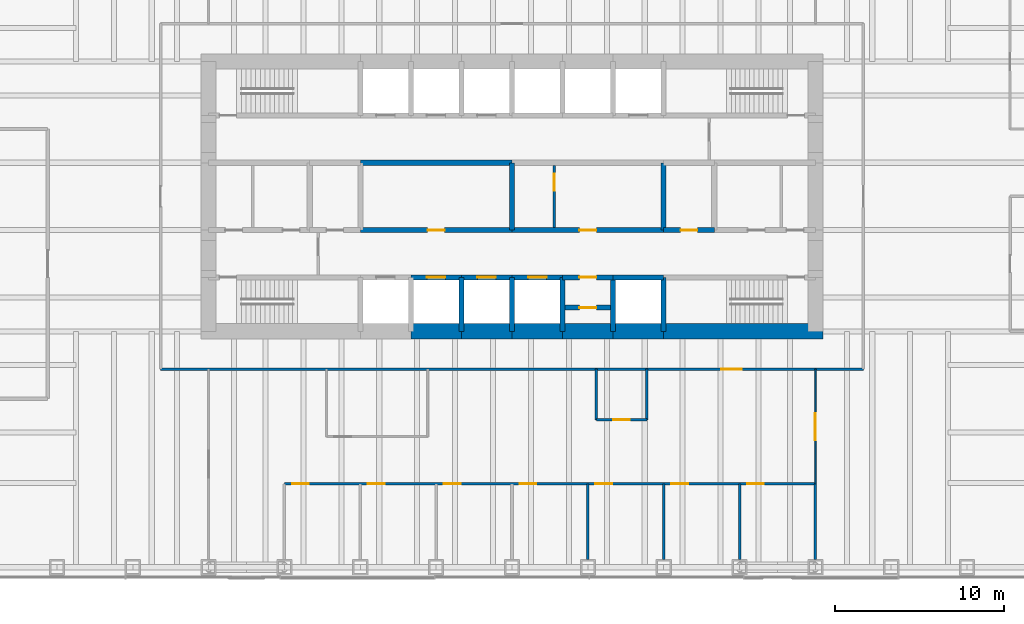
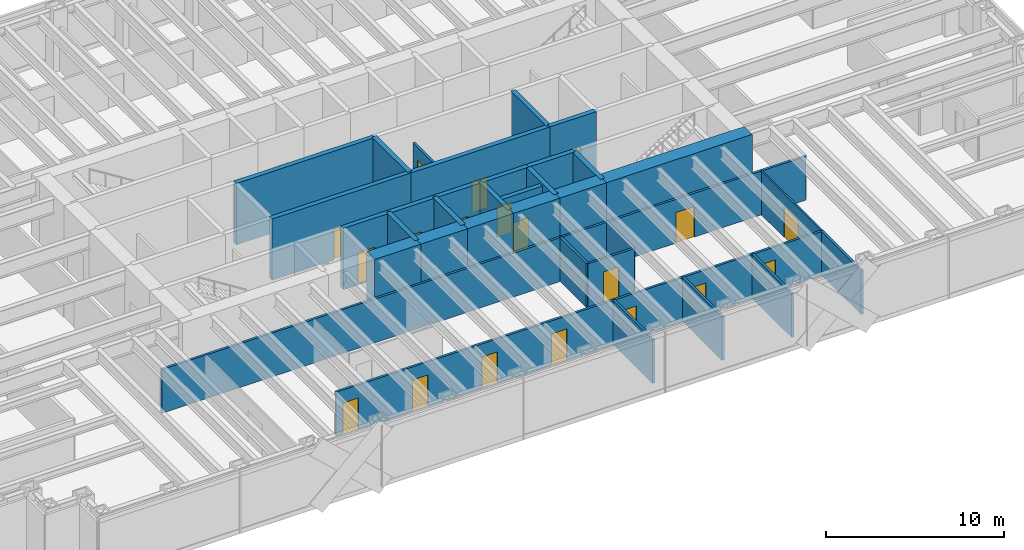
# One storey, part 15 of 19: 34 walls, 19 doors, 19 openings.
"""IFC4 building model written with IfcOpenShell, lengths in metres."""

from ifc_helpers import new_model, si_unit, direction, frame, frame_2d, origin, place, context, subcontext, project, spatial, rectangle, extrude, material, layer, layer_set, type_object, element, fill, save


model = new_model("IFC4")

# Units and contexts
model_context = context("Model", 3, precision=1e-05, world=origin(), true_north=direction((0.0, 1.0)))
body_context = subcontext(model_context, "Body", "Model", "MODEL_VIEW")
ifc_project = project(units=[si_unit("LENGTHUNIT", "METRE"), si_unit("AREAUNIT", "SQUARE_METRE"), si_unit("VOLUMEUNIT", "CUBIC_METRE"), si_unit("PLANEANGLEUNIT", "RADIAN"), si_unit("MASSUNIT", "GRAM", prefix="KILO")], contexts=[model_context])

# Site, building, storey
site_placement = place(None, origin())
site = spatial("IfcSite", under=ifc_project, at=site_placement, CompositionType="ELEMENT")
building_placement = place(site_placement, origin())
building = spatial("IfcBuilding", under=site, at=building_placement, Name="Rheinbord Bourse Tower", CompositionType="ELEMENT")
storey_placement = place(building_placement, frame((0.0, 0.0, 167.699951171875)))
storey = spatial("IfcBuildingStorey", under=building, at=storey_placement, Name="L37", CompositionType="ELEMENT", Elevation=167.699951171875)

# Wall, opening, door
ifc_material_1 = material(Name="Concrete C50/60", Category="concrete")
ifc_layer_1 = layer(ifc_material_1, 0.300048828125)
ifc_layer_set_1 = layer_set([ifc_layer_1], Name="CORE INNER WALL 300")
wall_type_1 = type_object("IfcWallType", Name="CORE INNER WALL 300", PredefinedType="SOLIDWALL", material=ifc_layer_set_1)
wall_1_placement = place(storey_placement, frame((30.0, 19.199951171875, 0.0), z_axis=(0.0, 0.0, 1.0), x_axis=(1.0, 0.0, 0.0)))
wall_1 = element("IfcWall", 1, at=wall_1_placement, inside=storey, type_object=wall_type_1, Name="Core wall A3 L37", PredefinedType="SOLIDWALL", context=body_context, shape_type="SweptSolid", body=[
    extrude(rectangle(XDim=3.0, YDim=0.300048828125, at=frame_2d((1.5, 0.0))), origin(), (0.0, 0.0, 1.0), 4.199951171875),
])
opening_1_placement = place(wall_1_placement, frame((0.949951171875, 0.0, 0.0)))
opening_1 = element("IfcOpeningElement", 2, at=opening_1_placement, cuts=wall_1, Name="Opening PB1", PredefinedType="OPENING", context=body_context, shape_type="SweptSolid", body=[
    extrude(rectangle(XDim=1.10009765625, YDim=2.199951171875, at=frame_2d((0.550048828125, 1.10009765625))), frame((0.0, 0.159912109375, 0.0), z_axis=(0.0, -1.0, 0.0), x_axis=(1.0, 0.0, 0.0)), (0.0, 0.0, 1.0), 0.320068359375),
])
ifc_material_2 = material(Name="Steel landing door", Category="steel")
door_type_1 = type_object("IfcDoorType", Name="LIFT LANDING DOOR 1100", OperationType="DOUBLE_DOOR_SLIDING", PredefinedType="USERDEFINED", material=ifc_material_2)
door_1_placement = place(opening_1_placement, origin())
door_1 = element("IfcDoor", 3, at=door_1_placement, inside=storey, type_object=door_type_1, Name="Lift landing door PB1 L37", ObjectType="LIFT LANDING DOOR", OperationType="DOUBLE_DOOR_SLIDING", OverallHeight=2.199951171875, OverallWidth=1.10009765625, PredefinedType="USERDEFINED", context=body_context, shape_type="SweptSolid", body=[
    extrude(rectangle(XDim=1.10009765625, YDim=2.199951171875, at=frame_2d((0.550048828125, 1.10009765625))), frame((0.0, 0.02490234375, 0.0), z_axis=(0.0, -1.0, 0.0), x_axis=(1.0, 0.0, 0.0)), (0.0, 0.0, 1.0), 0.050048828125),
])
fill(opening_1, door_1)

wall_2_placement = place(storey_placement, frame((33.0, 19.199951171875, 0.0), z_axis=(0.0, 0.0, 1.0), x_axis=(1.0, 0.0, 0.0)))
wall_2 = element("IfcWall", 4, at=wall_2_placement, inside=storey, type_object=wall_type_1, Name="Core wall A4 L37", PredefinedType="SOLIDWALL", context=body_context, shape_type="SweptSolid", body=[
    extrude(rectangle(XDim=3.0, YDim=0.300048828125, at=frame_2d((1.5, 0.0))), origin(), (0.0, 0.0, 1.0), 4.199951171875),
])
opening_2_placement = place(wall_2_placement, frame((0.949951171875, 0.0, 0.0)))
opening_2 = element("IfcOpeningElement", 5, at=opening_2_placement, cuts=wall_2, Name="Opening PB2", PredefinedType="OPENING", context=body_context, shape_type="SweptSolid", body=[
    extrude(rectangle(XDim=1.10009765625, YDim=2.199951171875, at=frame_2d((0.550048828125, 1.10009765625))), frame((0.0, 0.159912109375, 0.0), z_axis=(0.0, -1.0, 0.0), x_axis=(1.0, 0.0, 0.0)), (0.0, 0.0, 1.0), 0.320068359375),
])
door_2_placement = place(opening_2_placement, origin())
door_2 = element("IfcDoor", 6, at=door_2_placement, inside=storey, type_object=door_type_1, Name="Lift landing door PB2 L37", ObjectType="LIFT LANDING DOOR", OperationType="DOUBLE_DOOR_SLIDING", OverallHeight=2.199951171875, OverallWidth=1.10009765625, PredefinedType="USERDEFINED", context=body_context, shape_type="SweptSolid", body=[
    extrude(rectangle(XDim=1.10009765625, YDim=2.199951171875, at=frame_2d((0.550048828125, 1.10009765625))), frame((0.0, 0.02490234375, 0.0), z_axis=(0.0, -1.0, 0.0), x_axis=(1.0, 0.0, 0.0)), (0.0, 0.0, 1.0), 0.050048828125),
])
fill(opening_2, door_2)

wall_3_placement = place(storey_placement, frame((36.0, 19.199951171875, 0.0), z_axis=(0.0, 0.0, 1.0), x_axis=(1.0, 0.0, 0.0)))
wall_3 = element("IfcWall", 7, at=wall_3_placement, inside=storey, type_object=wall_type_1, Name="Core wall A5 L37", PredefinedType="SOLIDWALL", context=body_context, shape_type="SweptSolid", body=[
    extrude(rectangle(XDim=3.0, YDim=0.300048828125, at=frame_2d((1.5, 0.0))), origin(), (0.0, 0.0, 1.0), 4.199951171875),
])
opening_3_placement = place(wall_3_placement, frame((0.949951171875, 0.0, 0.0)))
opening_3 = element("IfcOpeningElement", 8, at=opening_3_placement, cuts=wall_3, Name="Opening PB3", PredefinedType="OPENING", context=body_context, shape_type="SweptSolid", body=[
    extrude(rectangle(XDim=1.10009765625, YDim=2.199951171875, at=frame_2d((0.550048828125, 1.10009765625))), frame((0.0, 0.159912109375, 0.0), z_axis=(0.0, -1.0, 0.0), x_axis=(1.0, 0.0, 0.0)), (0.0, 0.0, 1.0), 0.320068359375),
])
door_3_placement = place(opening_3_placement, origin())
door_3 = element("IfcDoor", 9, at=door_3_placement, inside=storey, type_object=door_type_1, Name="Lift landing door PB3 L37", ObjectType="LIFT LANDING DOOR", OperationType="DOUBLE_DOOR_SLIDING", OverallHeight=2.199951171875, OverallWidth=1.10009765625, PredefinedType="USERDEFINED", context=body_context, shape_type="SweptSolid", body=[
    extrude(rectangle(XDim=1.10009765625, YDim=2.199951171875, at=frame_2d((0.550048828125, 1.10009765625))), frame((0.0, 0.02490234375, 0.0), z_axis=(0.0, -1.0, 0.0), x_axis=(1.0, 0.0, 0.0)), (0.0, 0.0, 1.0), 0.050048828125),
])
fill(opening_3, door_3)

wall_4_placement = place(storey_placement, frame((39.0, 19.199951171875, 0.0), z_axis=(0.0, 0.0, 1.0), x_axis=(1.0, 0.0, 0.0)))
wall_4 = element("IfcWall", 10, at=wall_4_placement, inside=storey, type_object=wall_type_1, Name="Core wall A6 L37", PredefinedType="SOLIDWALL", context=body_context, shape_type="SweptSolid", body=[
    extrude(rectangle(XDim=3.0, YDim=0.300048828125, at=frame_2d((1.5, 0.0))), origin(), (0.0, 0.0, 1.0), 4.199951171875),
])
opening_4_placement = place(wall_4_placement, frame((1.0, 0.0, 0.0)))
opening_4 = element("IfcOpeningElement", 11, at=opening_4_placement, cuts=wall_4, Name="Opening 37R8", PredefinedType="OPENING", context=body_context, shape_type="SweptSolid", body=[
    extrude(rectangle(XDim=1.0, YDim=2.10009765625, at=frame_2d((0.5, 1.050048828125))), frame((0.0, 0.159912109375, 0.0), z_axis=(0.0, -1.0, 0.0), x_axis=(1.0, 0.0, 0.0)), (0.0, 0.0, 1.0), 0.320068359375),
])
ifc_material_3 = material(Name="Steel door", Category="steel")
door_type_2 = type_object("IfcDoorType", Name="DOOR 1000 EI30", OperationType="SINGLE_SWING_LEFT", PredefinedType="DOOR", material=ifc_material_3)
door_4_placement = place(opening_4_placement, origin())
door_4 = element("IfcDoor", 12, at=door_4_placement, inside=storey, type_object=door_type_2, Name="Stationery store door L37", OperationType="SINGLE_SWING_LEFT", OverallHeight=2.10009765625, OverallWidth=1.0, PredefinedType="DOOR", context=body_context, shape_type="SweptSolid", body=[
    extrude(rectangle(XDim=1.0, YDim=2.10009765625, at=frame_2d((0.5, 1.050048828125))), frame((0.0, 0.02490234375, 0.0), z_axis=(0.0, -1.0, 0.0), x_axis=(1.0, 0.0, 0.0)), (0.0, 0.0, 1.0), 0.050048828125),
])
fill(opening_4, door_4)

# Wall
wall_5_placement = place(storey_placement, frame((42.0, 19.199951171875, 0.0), z_axis=(0.0, 0.0, 1.0), x_axis=(1.0, 0.0, 0.0)))
element("IfcWall", 13, at=wall_5_placement, inside=storey, type_object=wall_type_1, Name="Core wall A7 L37", PredefinedType="SOLIDWALL", context=body_context, shape_type="SweptSolid", body=[
    extrude(rectangle(XDim=3.0, YDim=0.300048828125, at=frame_2d((1.5, 0.0))), origin(), (0.0, 0.0, 1.0), 4.199951171875),
])

# Wall, opening, door
wall_6_placement = place(storey_placement, frame((27.0, 22.0, 0.0), z_axis=(0.0, 0.0, 1.0), x_axis=(1.0, 0.0, 0.0)))
wall_6 = element("IfcWall", 14, at=wall_6_placement, inside=storey, type_object=wall_type_1, Name="Core wall C3 L37", PredefinedType="SOLIDWALL", context=body_context, shape_type="SweptSolid", body=[
    extrude(rectangle(XDim=9.0, YDim=0.300048828125, at=frame_2d((4.5, 0.0))), origin(), (0.0, 0.0, 1.0), 4.199951171875),
])
opening_5_placement = place(wall_6_placement, frame((4.0, 0.0, 0.0)))
opening_5 = element("IfcOpeningElement", 15, at=opening_5_placement, cuts=wall_6, Name="Opening 37R3", PredefinedType="OPENING", context=body_context, shape_type="SweptSolid", body=[
    extrude(rectangle(XDim=1.0, YDim=2.10009765625, at=frame_2d((0.5, 1.050048828125))), frame((0.0, 0.159912109375, 0.0), z_axis=(0.0, -1.0, 0.0), x_axis=(1.0, 0.0, 0.0)), (0.0, 0.0, 1.0), 0.320068359375),
])
door_5_placement = place(opening_5_placement, origin())
door_5 = element("IfcDoor", 16, at=door_5_placement, inside=storey, type_object=door_type_2, Name="Riser door L37", OperationType="SINGLE_SWING_LEFT", OverallHeight=2.10009765625, OverallWidth=1.0, PredefinedType="DOOR", context=body_context, shape_type="SweptSolid", body=[
    extrude(rectangle(XDim=1.0, YDim=2.10009765625, at=frame_2d((0.5, 1.050048828125))), frame((0.0, 0.02490234375, 0.0), z_axis=(0.0, -1.0, 0.0), x_axis=(1.0, 0.0, 0.0)), (0.0, 0.0, 1.0), 0.050048828125),
])
fill(opening_5, door_5)

wall_7_placement = place(storey_placement, frame((36.0, 22.0, 0.0), z_axis=(0.0, 0.0, 1.0), x_axis=(1.0, 0.0, 0.0)))
wall_7 = element("IfcWall", 17, at=wall_7_placement, inside=storey, type_object=wall_type_1, Name="Core wall C4 L37", PredefinedType="SOLIDWALL", context=body_context, shape_type="SweptSolid", body=[
    extrude(rectangle(XDim=9.0, YDim=0.300048828125, at=frame_2d((4.5, 0.0))), origin(), (0.0, 0.0, 1.0), 4.199951171875),
])
opening_6_placement = place(wall_7_placement, frame((4.0, 0.0, 0.0)))
opening_6 = element("IfcOpeningElement", 18, at=opening_6_placement, cuts=wall_7, Name="Opening 37R4", PredefinedType="OPENING", context=body_context, shape_type="SweptSolid", body=[
    extrude(rectangle(XDim=1.0, YDim=2.10009765625, at=frame_2d((0.5, 1.050048828125))), frame((0.0, 0.159912109375, 0.0), z_axis=(0.0, -1.0, 0.0), x_axis=(1.0, 0.0, 0.0)), (0.0, 0.0, 1.0), 0.320068359375),
])
door_6_placement = place(opening_6_placement, origin())
door_6 = element("IfcDoor", 19, at=door_6_placement, inside=storey, type_object=door_type_2, Name="Store door L37", OperationType="SINGLE_SWING_LEFT", OverallHeight=2.10009765625, OverallWidth=1.0, PredefinedType="DOOR", context=body_context, shape_type="SweptSolid", body=[
    extrude(rectangle(XDim=1.0, YDim=2.10009765625, at=frame_2d((0.5, 1.050048828125))), frame((0.0, 0.02490234375, 0.0), z_axis=(0.0, -1.0, 0.0), x_axis=(1.0, 0.0, 0.0)), (0.0, 0.0, 1.0), 0.050048828125),
])
fill(opening_6, door_6)

wall_8_placement = place(storey_placement, frame((45.0, 22.0, 0.0), z_axis=(0.0, 0.0, 1.0), x_axis=(1.0, 0.0, 0.0)))
wall_8 = element("IfcWall", 20, at=wall_8_placement, inside=storey, type_object=wall_type_1, Name="Core wall C5 L37", PredefinedType="SOLIDWALL", context=body_context, shape_type="SweptSolid", body=[
    extrude(rectangle(XDim=3.0, YDim=0.300048828125, at=frame_2d((1.5, 0.0))), origin(), (0.0, 0.0, 1.0), 4.199951171875),
])
opening_7_placement = place(wall_8_placement, frame((1.0, 0.0, 0.0)))
opening_7 = element("IfcOpeningElement", 21, at=opening_7_placement, cuts=wall_8, Name="Opening 37R5", PredefinedType="OPENING", context=body_context, shape_type="SweptSolid", body=[
    extrude(rectangle(XDim=1.0, YDim=2.10009765625, at=frame_2d((0.5, 1.050048828125))), frame((0.0, 0.159912109375, 0.0), z_axis=(0.0, -1.0, 0.0), x_axis=(1.0, 0.0, 0.0)), (0.0, 0.0, 1.0), 0.320068359375),
])
ifc_material_4 = material(Name="Timber door", Category="wood")
door_type_3 = type_object("IfcDoorType", Name="DOOR 1000 WC", OperationType="SINGLE_SWING_LEFT", PredefinedType="DOOR", material=ifc_material_4)
door_7_placement = place(opening_7_placement, origin())
door_7 = element("IfcDoor", 22, at=door_7_placement, inside=storey, type_object=door_type_3, Name="Accessible WC door L37", OperationType="SINGLE_SWING_LEFT", OverallHeight=2.10009765625, OverallWidth=1.0, PredefinedType="DOOR", context=body_context, shape_type="SweptSolid", body=[
    extrude(rectangle(XDim=1.0, YDim=2.10009765625, at=frame_2d((0.5, 1.050048828125))), frame((0.0, 0.02490234375, 0.0), z_axis=(0.0, -1.0, 0.0), x_axis=(1.0, 0.0, 0.0)), (0.0, 0.0, 1.0), 0.050048828125),
])
fill(opening_7, door_7)

# Walls
wall_9_placement = place(storey_placement, frame((27.0, 26.0, 0.0), z_axis=(0.0, 0.0, 1.0), x_axis=(1.0, 0.0, 0.0)))
element("IfcWall", 23, at=wall_9_placement, inside=storey, type_object=wall_type_1, Name="Core wall D3 L37", PredefinedType="SOLIDWALL", context=body_context, shape_type="SweptSolid", body=[
    extrude(rectangle(XDim=9.0, YDim=0.300048828125, at=frame_2d((4.5, 0.0))), origin(), (0.0, 0.0, 1.0), 4.199951171875),
])
for number, where, z_axis, x_axis, name in (
    (24, (33.0, 16.0, 0.0), (0.0, 0.0, 1.0), (0.0, 1.0, 0.0), "Core wall SX33 L37"),
    (25, (36.0, 16.0, 0.0), (0.0, 0.0, 1.0), (0.0, 1.0, 0.0), "Core wall SX36 L37"),
    (26, (39.0, 16.0, 0.0), (0.0, 0.0, 1.0), (0.0, 1.0, 0.0), "Core wall SX39 L37"),
    (27, (42.0, 16.0, 0.0), (0.0, 0.0, 1.0), (0.0, 1.0, 0.0), "Core wall SX42 L37"),
    (28, (45.0, 16.0, 0.0), (0.0, 0.0, 1.0), (0.0, 1.0, 0.0), "Core wall SX45 L37"),
):
    element("IfcWall", number, at=place(storey_placement, frame(where, z_axis=z_axis, x_axis=x_axis)), inside=storey, type_object=wall_type_1, Name=name, PredefinedType="SOLIDWALL", context=body_context, shape_type="SweptSolid", body=[
        extrude(rectangle(XDim=3.199951171875, YDim=0.300048828125, at=frame_2d((1.60009765625, 0.0))), origin(), (0.0, 0.0, 1.0), 4.199951171875),
    ])
for number, where, z_axis, x_axis, name in (
    (29, (36.0, 22.0, 0.0), (0.0, 0.0, 1.0), (0.0, 1.0, 0.0), "Core wall MX36 L37"),
    (30, (45.0, 22.0, 0.0), (0.0, 0.0, 1.0), (0.0, 1.0, 0.0), "Core wall MX45 L37"),
):
    element("IfcWall", number, at=place(storey_placement, frame(where, z_axis=z_axis, x_axis=x_axis)), inside=storey, type_object=wall_type_1, Name=name, PredefinedType="SOLIDWALL", context=body_context, shape_type="SweptSolid", body=[
        extrude(rectangle(XDim=4.0, YDim=0.300048828125, at=frame_2d((2.0, 0.0))), origin(), (0.0, 0.0, 1.0), 4.199951171875),
    ])

# Wall, opening, door
wall_10_placement = place(storey_placement, frame((39.14990234375, 17.39990234375, 0.0), z_axis=(0.0, 0.0, 1.0), x_axis=(1.0, 0.0, 0.0)))
wall_10 = element("IfcWall", 31, at=wall_10_placement, inside=storey, type_object=wall_type_1, Name="Core riser wall L37-6", PredefinedType="SOLIDWALL", context=body_context, shape_type="SweptSolid", body=[
    extrude(rectangle(XDim=2.7001953125, YDim=0.300048828125, at=frame_2d((1.35009765625, 0.0))), origin(), (0.0, 0.0, 1.0), 4.0400390625),
])
opening_8_placement = place(wall_10_placement, frame((0.85009765625, 0.0, 0.0)))
opening_8 = element("IfcOpeningElement", 32, at=opening_8_placement, cuts=wall_10, Name="Opening 37R12", PredefinedType="OPENING", context=body_context, shape_type="SweptSolid", body=[
    extrude(rectangle(XDim=1.0, YDim=2.10009765625, at=frame_2d((0.5, 1.050048828125))), frame((0.0, 0.159912109375, 0.0), z_axis=(0.0, -1.0, 0.0), x_axis=(1.0, 0.0, 0.0)), (0.0, 0.0, 1.0), 0.320068359375),
])
door_8_placement = place(opening_8_placement, origin())
door_8 = element("IfcDoor", 33, at=door_8_placement, inside=storey, type_object=door_type_2, Name="Comms riser door L37", OperationType="SINGLE_SWING_LEFT", OverallHeight=2.10009765625, OverallWidth=1.0, PredefinedType="DOOR", context=body_context, shape_type="SweptSolid", body=[
    extrude(rectangle(XDim=1.0, YDim=2.10009765625, at=frame_2d((0.5, 1.050048828125))), frame((0.0, 0.02490234375, 0.0), z_axis=(0.0, -1.0, 0.0), x_axis=(1.0, 0.0, 0.0)), (0.0, 0.0, 1.0), 0.050048828125),
])
fill(opening_8, door_8)

ifc_material_5 = material(Name="Gypsum board fire partition", Category="gypsum board")
ifc_layer_2 = layer(ifc_material_5, 0.14990234375)
ifc_layer_set_2 = layer_set([ifc_layer_2], Name="CORE PARTITION 150 EI30")
wall_type_2 = type_object("IfcWallType", Name="CORE PARTITION 150 EI30", PredefinedType="PARTITIONING", material=ifc_layer_set_2)
wall_11_placement = place(storey_placement, frame((38.5, 22.14990234375, 0.0), z_axis=(0.0, 0.0, 1.0), x_axis=(0.0, 1.0, 0.0)))
wall_11 = element("IfcWall", 34, at=wall_11_placement, inside=storey, type_object=wall_type_2, Name="Core partition L37-1", PredefinedType="PARTITIONING", context=body_context, shape_type="SweptSolid", body=[
    extrude(rectangle(XDim=3.7001953125, YDim=0.14990234375, at=frame_2d((1.85009765625, 0.0))), origin(), (0.0, 0.0, 1.0), 3.0),
])
opening_9_placement = place(wall_11_placement, frame((2.199951171875, 0.0, 0.0)))
opening_9 = element("IfcOpeningElement", 35, at=opening_9_placement, cuts=wall_11, Name="Opening 37R7", PredefinedType="OPENING", context=body_context, shape_type="SweptSolid", body=[
    extrude(rectangle(XDim=1.0, YDim=2.10009765625, at=frame_2d((0.5, 1.050048828125))), frame((0.0, 0.0849609375, 0.0), z_axis=(0.0, -1.0, 0.0), x_axis=(1.0, 0.0, 0.0)), (0.0, 0.0, 1.0), 0.169921875),
])
door_9_placement = place(opening_9_placement, origin())
door_9 = element("IfcDoor", 36, at=door_9_placement, inside=storey, type_object=door_type_2, Name="Furniture store door L37", OperationType="SINGLE_SWING_RIGHT", OverallHeight=2.10009765625, OverallWidth=1.0, PredefinedType="DOOR", context=body_context, shape_type="SweptSolid", body=[
    extrude(rectangle(XDim=1.0, YDim=2.10009765625, at=frame_2d((0.5, 1.050048828125))), frame((0.0, 0.02490234375, 0.0), z_axis=(0.0, -1.0, 0.0), x_axis=(1.0, 0.0, 0.0)), (0.0, 0.0, 1.0), 0.050048828125),
])
fill(opening_9, door_9)

# Walls
ifc_material_6 = material(Name="Concrete C50/60", Category="concrete")
ifc_layer_3 = layer(ifc_material_6, 0.89990234375)
ifc_layer_set_3 = layer_set([ifc_layer_3], Name="CORE WALL 900")
wall_type_3 = type_object("IfcWallType", Name="CORE WALL 900", PredefinedType="SHEAR", material=ifc_layer_set_3)
for number, where, z_axis, x_axis, name in (
    (37, (30.0, 16.0, 0.0), (0.0, 0.0, 1.0), (1.0, 0.0, 0.0), "Core wall S3 L37"),
    (38, (33.0, 16.0, 0.0), (0.0, 0.0, 1.0), (1.0, 0.0, 0.0), "Core wall S4 L37"),
    (39, (36.0, 16.0, 0.0), (0.0, 0.0, 1.0), (1.0, 0.0, 0.0), "Core wall S5 L37"),
    (40, (39.0, 16.0, 0.0), (0.0, 0.0, 1.0), (1.0, 0.0, 0.0), "Core wall S6 L37"),
    (41, (42.0, 16.0, 0.0), (0.0, 0.0, 1.0), (1.0, 0.0, 0.0), "Core wall S7 L37"),
):
    element("IfcWall", number, at=place(storey_placement, frame(where, z_axis=z_axis, x_axis=x_axis)), inside=storey, type_object=wall_type_3, Name=name, PredefinedType="SHEAR", context=body_context, shape_type="SweptSolid", body=[
        extrude(rectangle(XDim=3.0, YDim=0.89990234375, at=frame_2d((1.5, 0.0))), origin(), (0.0, 0.0, 1.0), 4.199951171875),
    ])
wall_12_placement = place(storey_placement, frame((45.0, 16.0, 0.0), z_axis=(0.0, 0.0, 1.0), x_axis=(1.0, 0.0, 0.0)))
element("IfcWall", 42, at=wall_12_placement, inside=storey, type_object=wall_type_3, Name="Core wall S8 L37", PredefinedType="SHEAR", context=body_context, shape_type="SweptSolid", body=[
    extrude(rectangle(XDim=9.449951171875, YDim=0.89990234375, at=frame_2d((4.72509765625, 0.0))), origin(), (0.0, 0.0, 1.0), 4.199951171875),
])

# Wall, opening, door
ifc_material_7 = material(Name="Gypsum board corridor partition", Category="gypsum board")
ifc_layer_4 = layer(ifc_material_7, 0.14990234375)
ifc_layer_set_4 = layer_set([ifc_layer_4], Name="CORRIDOR PARTITION 150 EI30")
wall_type_4 = type_object("IfcWallType", Name="CORRIDOR PARTITION 150 EI30", PredefinedType="PARTITIONING", material=ifc_layer_set_4)
wall_13_placement = place(storey_placement, frame((15.14990234375, 13.75, 0.0), z_axis=(0.0, 0.0, 1.0), x_axis=(1.0, 0.0, 0.0)))
wall_13 = element("IfcWall", 43, at=wall_13_placement, inside=storey, type_object=wall_type_4, Name="Partition L37-06", PredefinedType="PARTITIONING", context=body_context, shape_type="SweptSolid", body=[
    extrude(rectangle(XDim=41.7001953125, YDim=0.14990234375, at=frame_2d((20.85009765625, 0.0))), origin(), (0.0, 0.0, 1.0), 3.0),
])
opening_10_placement = place(wall_13_placement, frame((33.27490234375, 0.0, 0.0)))
opening_10 = element("IfcOpeningElement", 44, at=opening_10_placement, cuts=wall_13, Name="Opening 37D32", PredefinedType="OPENING", context=body_context, shape_type="SweptSolid", body=[
    extrude(rectangle(XDim=1.199951171875, YDim=2.10009765625, at=frame_2d((0.60009765625, 1.050048828125))), frame((0.0, 0.0849609375, 0.0), z_axis=(0.0, -1.0, 0.0), x_axis=(1.0, 0.0, 0.0)), (0.0, 0.0, 1.0), 0.169921875),
])
ifc_material_8 = material(Name="Timber fire door", Category="wood")
door_type_4 = type_object("IfcDoorType", Name="SUITE ENTRANCE DOOR 1200 EI30", OperationType="SINGLE_SWING_LEFT", PredefinedType="DOOR", material=ifc_material_8)
door_10_placement = place(opening_10_placement, origin())
door_10 = element("IfcDoor", 45, at=door_10_placement, inside=storey, type_object=door_type_4, Name="Suite entrance 3 door L37", OperationType="SINGLE_SWING_RIGHT", OverallHeight=2.10009765625, OverallWidth=1.199951171875, PredefinedType="DOOR", context=body_context, shape_type="SweptSolid", body=[
    extrude(rectangle(XDim=1.199951171875, YDim=2.10009765625, at=frame_2d((0.60009765625, 1.050048828125))), frame((0.0, 0.02490234375, 0.0), z_axis=(0.0, -1.0, 0.0), x_axis=(1.0, 0.0, 0.0)), (0.0, 0.0, 1.0), 0.050048828125),
])
fill(opening_10, door_10)

ifc_material_9 = material(Name="Toughened laminated glass partition", Category="glass")
ifc_layer_5 = layer(ifc_material_9, 0.10009765625)
ifc_layer_set_5 = layer_set([ifc_layer_5], Name="GLAZED PARTITION 100")
wall_type_5 = type_object("IfcWallType", Name="GLAZED PARTITION 100", PredefinedType="PARTITIONING", material=ifc_layer_set_5)
wall_14_placement = place(storey_placement, frame((54.0, 6.949951171875, 0.0), z_axis=(0.0, 0.0, 1.0), x_axis=(0.0, 1.0, 0.0)))
wall_14 = element("IfcWall", 46, at=wall_14_placement, inside=storey, type_object=wall_type_5, Name="Partition L37-41", PredefinedType="PARTITIONING", context=body_context, shape_type="SweptSolid", body=[
    extrude(rectangle(XDim=6.800048828125, YDim=0.10009765625, at=frame_2d((3.39990234375, 0.0))), origin(), (0.0, 0.0, 1.0), 3.0),
])
opening_11_placement = place(wall_14_placement, frame((2.60009765625, 0.0, 0.0)))
opening_11 = element("IfcOpeningElement", 47, at=opening_11_placement, cuts=wall_14, Name="Opening 37D28", PredefinedType="OPENING", context=body_context, shape_type="SweptSolid", body=[
    extrude(rectangle(XDim=1.60009765625, YDim=2.10009765625, at=frame_2d((0.800048828125, 1.050048828125))), frame((0.0, 0.06005859375, 0.0), z_axis=(0.0, -1.0, 0.0), x_axis=(1.0, 0.0, 0.0)), (0.0, 0.0, 1.0), 0.1201171875),
])
ifc_material_10 = material(Name="Timber door", Category="wood")
door_type_5 = type_object("IfcDoorType", Name="DOUBLE ROOM DOOR 1600", OperationType="DOUBLE_DOOR_DOUBLE_SWING", PredefinedType="DOOR", material=ifc_material_10)
door_11_placement = place(opening_11_placement, origin())
door_11 = element("IfcDoor", 48, at=door_11_placement, inside=storey, type_object=door_type_5, Name="Open area door L37", OperationType="SINGLE_SWING_LEFT", OverallHeight=2.10009765625, OverallWidth=1.60009765625, PredefinedType="DOOR", context=body_context, shape_type="SweptSolid", body=[
    extrude(rectangle(XDim=1.60009765625, YDim=2.10009765625, at=frame_2d((0.800048828125, 1.050048828125))), frame((0.0, 0.02490234375, 0.0), z_axis=(0.0, -1.0, 0.0), x_axis=(1.0, 0.0, 0.0)), (0.0, 0.0, 1.0), 0.050048828125),
])
fill(opening_11, door_11)

# Wall, openings, doors
ifc_material_11 = material(Name="Gypsum board partition", Category="gypsum board")
ifc_layer_6 = layer(ifc_material_11, 0.14990234375)
ifc_layer_set_6 = layer_set([ifc_layer_6], Name="PARTITION 150")
wall_type_6 = type_object("IfcWallType", Name="PARTITION 150", PredefinedType="PARTITIONING", material=ifc_layer_set_6)
wall_15_placement = place(storey_placement, frame((22.5, 6.949951171875, 0.0), z_axis=(0.0, 0.0, 1.0), x_axis=(1.0, 0.0, 0.0)))
wall_15 = element("IfcWall", 49, at=wall_15_placement, inside=storey, type_object=wall_type_6, Name="Partition L37-01", PredefinedType="PARTITIONING", context=body_context, shape_type="SweptSolid", body=[
    extrude(rectangle(XDim=31.5, YDim=0.14990234375, at=frame_2d((15.75, 0.0))), origin(), (0.0, 0.0, 1.0), 3.0),
])
opening_12_placement = place(wall_15_placement, frame((0.449951171875, 0.0, 0.0)))
opening_12 = element("IfcOpeningElement", 50, at=opening_12_placement, cuts=wall_15, Name="Opening 37D01", PredefinedType="OPENING", context=body_context, shape_type="SweptSolid", body=[
    extrude(rectangle(XDim=1.0, YDim=2.10009765625, at=frame_2d((0.5, 1.050048828125))), frame((0.0, 0.0849609375, 0.0), z_axis=(0.0, -1.0, 0.0), x_axis=(1.0, 0.0, 0.0)), (0.0, 0.0, 1.0), 0.169921875),
])
opening_13_placement = place(wall_15_placement, frame((4.949951171875, 0.0, 0.0)))
opening_13 = element("IfcOpeningElement", 51, at=opening_13_placement, cuts=wall_15, Name="Opening 37D02", PredefinedType="OPENING", context=body_context, shape_type="SweptSolid", body=[
    extrude(rectangle(XDim=1.0, YDim=2.10009765625, at=frame_2d((0.5, 1.050048828125))), frame((0.0, 0.0849609375, 0.0), z_axis=(0.0, -1.0, 0.0), x_axis=(1.0, 0.0, 0.0)), (0.0, 0.0, 1.0), 0.169921875),
])
opening_14_placement = place(wall_15_placement, frame((9.449951171875, 0.0, 0.0)))
opening_14 = element("IfcOpeningElement", 52, at=opening_14_placement, cuts=wall_15, Name="Opening 37D03", PredefinedType="OPENING", context=body_context, shape_type="SweptSolid", body=[
    extrude(rectangle(XDim=1.0, YDim=2.10009765625, at=frame_2d((0.5, 1.050048828125))), frame((0.0, 0.0849609375, 0.0), z_axis=(0.0, -1.0, 0.0), x_axis=(1.0, 0.0, 0.0)), (0.0, 0.0, 1.0), 0.169921875),
])
opening_15_placement = place(wall_15_placement, frame((13.949951171875, 0.0, 0.0)))
opening_15 = element("IfcOpeningElement", 53, at=opening_15_placement, cuts=wall_15, Name="Opening 37D04", PredefinedType="OPENING", context=body_context, shape_type="SweptSolid", body=[
    extrude(rectangle(XDim=1.0, YDim=2.10009765625, at=frame_2d((0.5, 1.050048828125))), frame((0.0, 0.0849609375, 0.0), z_axis=(0.0, -1.0, 0.0), x_axis=(1.0, 0.0, 0.0)), (0.0, 0.0, 1.0), 0.169921875),
])
opening_16_placement = place(wall_15_placement, frame((18.449951171875, 0.0, 0.0)))
opening_16 = element("IfcOpeningElement", 54, at=opening_16_placement, cuts=wall_15, Name="Opening 37D05", PredefinedType="OPENING", context=body_context, shape_type="SweptSolid", body=[
    extrude(rectangle(XDim=1.0, YDim=2.10009765625, at=frame_2d((0.5, 1.050048828125))), frame((0.0, 0.0849609375, 0.0), z_axis=(0.0, -1.0, 0.0), x_axis=(1.0, 0.0, 0.0)), (0.0, 0.0, 1.0), 0.169921875),
])
opening_17_placement = place(wall_15_placement, frame((22.949951171875, 0.0, 0.0)))
opening_17 = element("IfcOpeningElement", 55, at=opening_17_placement, cuts=wall_15, Name="Opening 37D06", PredefinedType="OPENING", context=body_context, shape_type="SweptSolid", body=[
    extrude(rectangle(XDim=1.0, YDim=2.10009765625, at=frame_2d((0.5, 1.050048828125))), frame((0.0, 0.0849609375, 0.0), z_axis=(0.0, -1.0, 0.0), x_axis=(1.0, 0.0, 0.0)), (0.0, 0.0, 1.0), 0.169921875),
])
opening_18_placement = place(wall_15_placement, frame((27.449951171875, 0.0, 0.0)))
opening_18 = element("IfcOpeningElement", 56, at=opening_18_placement, cuts=wall_15, Name="Opening 37D07", PredefinedType="OPENING", context=body_context, shape_type="SweptSolid", body=[
    extrude(rectangle(XDim=1.0, YDim=2.10009765625, at=frame_2d((0.5, 1.050048828125))), frame((0.0, 0.0849609375, 0.0), z_axis=(0.0, -1.0, 0.0), x_axis=(1.0, 0.0, 0.0)), (0.0, 0.0, 1.0), 0.169921875),
])
ifc_material_12 = material(Name="Timber door", Category="wood")
door_type_6 = type_object("IfcDoorType", Name="ROOM DOOR 1000", OperationType="SINGLE_SWING_LEFT", PredefinedType="DOOR", material=ifc_material_12)
door_12_placement = place(opening_12_placement, origin())
door_12 = element("IfcDoor", 57, at=door_12_placement, inside=storey, type_object=door_type_6, Name="Office door L37", OperationType="SINGLE_SWING_LEFT", OverallHeight=2.10009765625, OverallWidth=1.0, PredefinedType="DOOR", context=body_context, shape_type="SweptSolid", body=[
    extrude(rectangle(XDim=1.0, YDim=2.10009765625, at=frame_2d((0.5, 1.050048828125))), frame((0.0, 0.02490234375, 0.0), z_axis=(0.0, -1.0, 0.0), x_axis=(1.0, 0.0, 0.0)), (0.0, 0.0, 1.0), 0.050048828125),
])
fill(opening_12, door_12)
door_13_placement = place(opening_13_placement, origin())
door_13 = element("IfcDoor", 58, at=door_13_placement, inside=storey, type_object=door_type_6, Name="Office door L37", OperationType="SINGLE_SWING_LEFT", OverallHeight=2.10009765625, OverallWidth=1.0, PredefinedType="DOOR", context=body_context, shape_type="SweptSolid", body=[
    extrude(rectangle(XDim=1.0, YDim=2.10009765625, at=frame_2d((0.5, 1.050048828125))), frame((0.0, 0.02490234375, 0.0), z_axis=(0.0, -1.0, 0.0), x_axis=(1.0, 0.0, 0.0)), (0.0, 0.0, 1.0), 0.050048828125),
])
fill(opening_13, door_13)
door_14_placement = place(opening_14_placement, origin())
door_14 = element("IfcDoor", 59, at=door_14_placement, inside=storey, type_object=door_type_6, Name="Office door L37", OperationType="SINGLE_SWING_LEFT", OverallHeight=2.10009765625, OverallWidth=1.0, PredefinedType="DOOR", context=body_context, shape_type="SweptSolid", body=[
    extrude(rectangle(XDim=1.0, YDim=2.10009765625, at=frame_2d((0.5, 1.050048828125))), frame((0.0, 0.02490234375, 0.0), z_axis=(0.0, -1.0, 0.0), x_axis=(1.0, 0.0, 0.0)), (0.0, 0.0, 1.0), 0.050048828125),
])
fill(opening_14, door_14)
door_15_placement = place(opening_15_placement, origin())
door_15 = element("IfcDoor", 60, at=door_15_placement, inside=storey, type_object=door_type_6, Name="Office door L37", OperationType="SINGLE_SWING_LEFT", OverallHeight=2.10009765625, OverallWidth=1.0, PredefinedType="DOOR", context=body_context, shape_type="SweptSolid", body=[
    extrude(rectangle(XDim=1.0, YDim=2.10009765625, at=frame_2d((0.5, 1.050048828125))), frame((0.0, 0.02490234375, 0.0), z_axis=(0.0, -1.0, 0.0), x_axis=(1.0, 0.0, 0.0)), (0.0, 0.0, 1.0), 0.050048828125),
])
fill(opening_15, door_15)
door_16_placement = place(opening_16_placement, origin())
door_16 = element("IfcDoor", 61, at=door_16_placement, inside=storey, type_object=door_type_6, Name="Office door L37", OperationType="SINGLE_SWING_RIGHT", OverallHeight=2.10009765625, OverallWidth=1.0, PredefinedType="DOOR", context=body_context, shape_type="SweptSolid", body=[
    extrude(rectangle(XDim=1.0, YDim=2.10009765625, at=frame_2d((0.5, 1.050048828125))), frame((0.0, 0.02490234375, 0.0), z_axis=(0.0, -1.0, 0.0), x_axis=(1.0, 0.0, 0.0)), (0.0, 0.0, 1.0), 0.050048828125),
])
fill(opening_16, door_16)
door_17_placement = place(opening_17_placement, origin())
door_17 = element("IfcDoor", 62, at=door_17_placement, inside=storey, type_object=door_type_6, Name="Office door L37", OperationType="SINGLE_SWING_RIGHT", OverallHeight=2.10009765625, OverallWidth=1.0, PredefinedType="DOOR", context=body_context, shape_type="SweptSolid", body=[
    extrude(rectangle(XDim=1.0, YDim=2.10009765625, at=frame_2d((0.5, 1.050048828125))), frame((0.0, 0.02490234375, 0.0), z_axis=(0.0, -1.0, 0.0), x_axis=(1.0, 0.0, 0.0)), (0.0, 0.0, 1.0), 0.050048828125),
])
fill(opening_17, door_17)
door_18_placement = place(opening_18_placement, origin())
door_18 = element("IfcDoor", 63, at=door_18_placement, inside=storey, type_object=door_type_6, Name="Pantry door L37", OperationType="SINGLE_SWING_RIGHT", OverallHeight=2.10009765625, OverallWidth=1.0, PredefinedType="DOOR", context=body_context, shape_type="SweptSolid", body=[
    extrude(rectangle(XDim=1.0, YDim=2.10009765625, at=frame_2d((0.5, 1.050048828125))), frame((0.0, 0.02490234375, 0.0), z_axis=(0.0, -1.0, 0.0), x_axis=(1.0, 0.0, 0.0)), (0.0, 0.0, 1.0), 0.050048828125),
])
fill(opening_18, door_18)

# Wall, opening, door
wall_16_placement = place(storey_placement, frame((41.0, 10.75, 0.0), z_axis=(0.0, 0.0, 1.0), x_axis=(1.0, 0.0, 0.0)))
wall_16 = element("IfcWall", 64, at=wall_16_placement, inside=storey, type_object=wall_type_6, Name="Partition L37-03", PredefinedType="PARTITIONING", context=body_context, shape_type="SweptSolid", body=[
    extrude(rectangle(XDim=3.0, YDim=0.14990234375, at=frame_2d((1.5, 0.0))), origin(), (0.0, 0.0, 1.0), 3.0),
])
opening_19_placement = place(wall_16_placement, frame((1.0, 0.0, 0.0)))
opening_19 = element("IfcOpeningElement", 65, at=opening_19_placement, cuts=wall_16, Name="Opening 37D09", PredefinedType="OPENING", context=body_context, shape_type="SweptSolid", body=[
    extrude(rectangle(XDim=1.0, YDim=2.10009765625, at=frame_2d((0.5, 1.050048828125))), frame((0.0, 0.0849609375, 0.0), z_axis=(0.0, -1.0, 0.0), x_axis=(1.0, 0.0, 0.0)), (0.0, 0.0, 1.0), 0.169921875),
])
door_19_placement = place(opening_19_placement, origin())
door_19 = element("IfcDoor", 66, at=door_19_placement, inside=storey, type_object=door_type_6, Name="Print room door L37", OperationType="SINGLE_SWING_LEFT", OverallHeight=2.10009765625, OverallWidth=1.0, PredefinedType="DOOR", context=body_context, shape_type="SweptSolid", body=[
    extrude(rectangle(XDim=1.0, YDim=2.10009765625, at=frame_2d((0.5, 1.050048828125))), frame((0.0, 0.02490234375, 0.0), z_axis=(0.0, -1.0, 0.0), x_axis=(1.0, 0.0, 0.0)), (0.0, 0.0, 1.0), 0.050048828125),
])
fill(opening_19, door_19)

# Walls
wall_17_placement = place(storey_placement, frame((40.5, 2.449951171875, 0.0), z_axis=(0.0, 0.0, 1.0), x_axis=(0.0, 1.0, 0.0)))
element("IfcWall", 67, at=wall_17_placement, inside=storey, type_object=wall_type_6, Name="Partition L37-32", PredefinedType="PARTITIONING", context=body_context, shape_type="SweptSolid", body=[
    extrude(rectangle(XDim=4.5, YDim=0.14990234375, at=frame_2d((2.25, 0.0))), origin(), (0.0, 0.0, 1.0), 3.0),
])
for number, where, z_axis, x_axis, name in (
    (68, (41.0, 10.75, 0.0), (0.0, 0.0, 1.0), (0.0, 1.0, 0.0), "Partition L37-34"),
    (69, (44.0, 10.75, 0.0), (0.0, 0.0, 1.0), (0.0, 1.0, 0.0), "Partition L37-35"),
):
    element("IfcWall", number, at=place(storey_placement, frame(where, z_axis=z_axis, x_axis=x_axis)), inside=storey, type_object=wall_type_6, Name=name, PredefinedType="PARTITIONING", context=body_context, shape_type="SweptSolid", body=[
        extrude(rectangle(XDim=3.0, YDim=0.14990234375, at=frame_2d((1.5, 0.0))), origin(), (0.0, 0.0, 1.0), 3.0),
    ])
for number, where, z_axis, x_axis, name in (
    (70, (45.0, 2.449951171875, 0.0), (0.0, 0.0, 1.0), (0.0, 1.0, 0.0), "Partition L37-36"),
    (71, (49.5, 2.449951171875, 0.0), (0.0, 0.0, 1.0), (0.0, 1.0, 0.0), "Partition L37-38"),
    (72, (54.0, 2.449951171875, 0.0), (0.0, 0.0, 1.0), (0.0, 1.0, 0.0), "Partition L37-40"),
):
    element("IfcWall", number, at=place(storey_placement, frame(where, z_axis=z_axis, x_axis=x_axis)), inside=storey, type_object=wall_type_6, Name=name, PredefinedType="PARTITIONING", context=body_context, shape_type="SweptSolid", body=[
        extrude(rectangle(XDim=4.5, YDim=0.14990234375, at=frame_2d((2.25, 0.0))), origin(), (0.0, 0.0, 1.0), 3.0),
    ])

save(model, "model.ifc")
